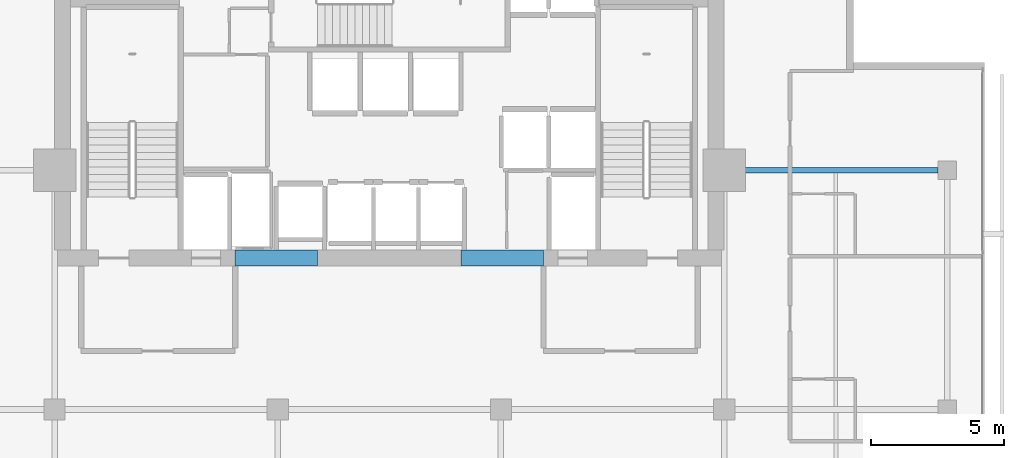
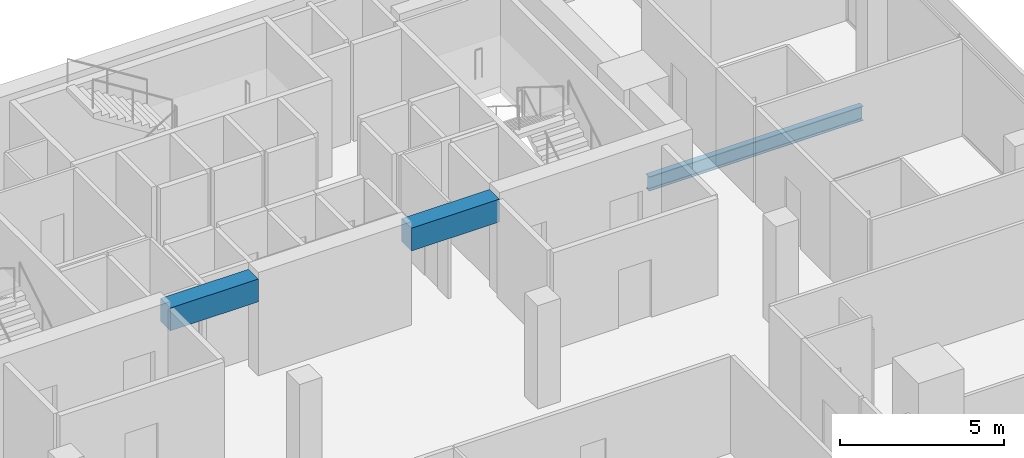
# One storey, part 17 of 25: 3 beams.
"""IFC4 building model written with IfcOpenShell, lengths in metres."""

from ifc_helpers import new_model, si_unit, direction, frame, origin, origin_2d, place, context, subcontext, project, spatial, rectangle, i_section, extrude, material, material_profile, profile_set, type_object, element, save


model = new_model("IFC4")

# Units and contexts
model_context = context("Model", 3, precision=1e-05, world=origin(), true_north=direction((0.0, 1.0)))
body_context = subcontext(model_context, "Body", "Model", "MODEL_VIEW")
ifc_project = project(units=[si_unit("LENGTHUNIT", "METRE"), si_unit("AREAUNIT", "SQUARE_METRE"), si_unit("VOLUMEUNIT", "CUBIC_METRE"), si_unit("PLANEANGLEUNIT", "RADIAN"), si_unit("MASSUNIT", "GRAM", prefix="KILO")], contexts=[model_context])

# Site, building, storey
site_placement = place(None, origin())
site = spatial("IfcSite", under=ifc_project, at=site_placement, CompositionType="ELEMENT")
building_placement = place(site_placement, origin())
building = spatial("IfcBuilding", under=site, at=building_placement, Name="Maruvema Waterfront Hotel and Observation Tower", CompositionType="ELEMENT")
storey_placement = place(building_placement, frame((0.0, 0.0, 239.39990234375)))
storey = spatial("IfcBuildingStorey", under=building, at=storey_placement, Name="L58", CompositionType="ELEMENT", Elevation=239.39990234375)

# Beams
ifc_material_1 = material(Name="Concrete C60/75", Category="concrete")
ifc_material_profile_1 = material_profile(ifc_material_1, rectangle(XDim=0.60009765625, YDim=0.85009765625, at=origin_2d()), Name="CB600x850")
ifc_profile_set_1 = profile_set([ifc_material_profile_1], Name="Concrete C60/75")
beam_type_1 = type_object("IfcBeamType", Name="Core Coupling Lintel Beam CB600x850", PredefinedType="LINTEL", material=ifc_profile_set_1)
for number, where, z_axis, x_axis, name in (
    (1, (32.0, 41.699951171875, 3.18505859375), (1.0, 0.0, 0.0), (0.0, 1.0, 0.0), "L58 Core Coupling Lintel Beam West"),
    (2, (40.5, 41.699951171875, 3.18505859375), (1.0, 0.0, 0.0), (0.0, 1.0, 0.0), "L58 Core Coupling Lintel Beam East"),
):
    element("IfcBeam", number, at=place(storey_placement, frame(where, z_axis=z_axis, x_axis=x_axis)), inside=storey, type_object=beam_type_1, Name=name, PredefinedType="LINTEL", context=body_context, shape_type="SweptSolid", body=[
        extrude(rectangle(XDim=0.60009765625, YDim=0.85009765625, at=origin_2d()), origin(), (0.0, 0.0, 1.0), 3.10009765625),
    ])
ifc_material_2 = material(Name="Steel ASTM A572 Grade 50", Category="steel")
ifc_material_profile_2 = material_profile(ifc_material_2, i_section(OverallWidth=0.208984375, OverallDepth=0.532958984375, WebThickness=0.01025390625, FlangeThickness=0.015625, FilletRadius=0.014892578125, at=origin_2d()), Name="W530x92.0")
ifc_profile_set_2 = profile_set([ifc_material_profile_2], Name="Steel ASTM A572 Grade 50")
beam_type_2 = type_object("IfcBeamType", Name="Primary Floor Girder W530x92.0", PredefinedType="BEAM", material=ifc_profile_set_2)
beam_placement = place(storey_placement, frame((50.89990234375, 45.0, -0.50634765625), z_axis=(1.0, 0.0, 0.0), x_axis=(0.0, 1.0, 0.0)))
element("IfcBeam", 3, at=beam_placement, inside=storey, type_object=beam_type_2, Name="L58 Floor Girder EW-18", PredefinedType="BEAM", context=body_context, shape_type="SweptSolid", body=[
    extrude(i_section(OverallWidth=0.208984375, OverallDepth=0.532958984375, WebThickness=0.01025390625, FlangeThickness=0.015625, FilletRadius=0.014892578125, at=origin_2d()), origin(), (0.0, 0.0, 1.0), 7.550048828125),
])

save(model, "model.ifc")
